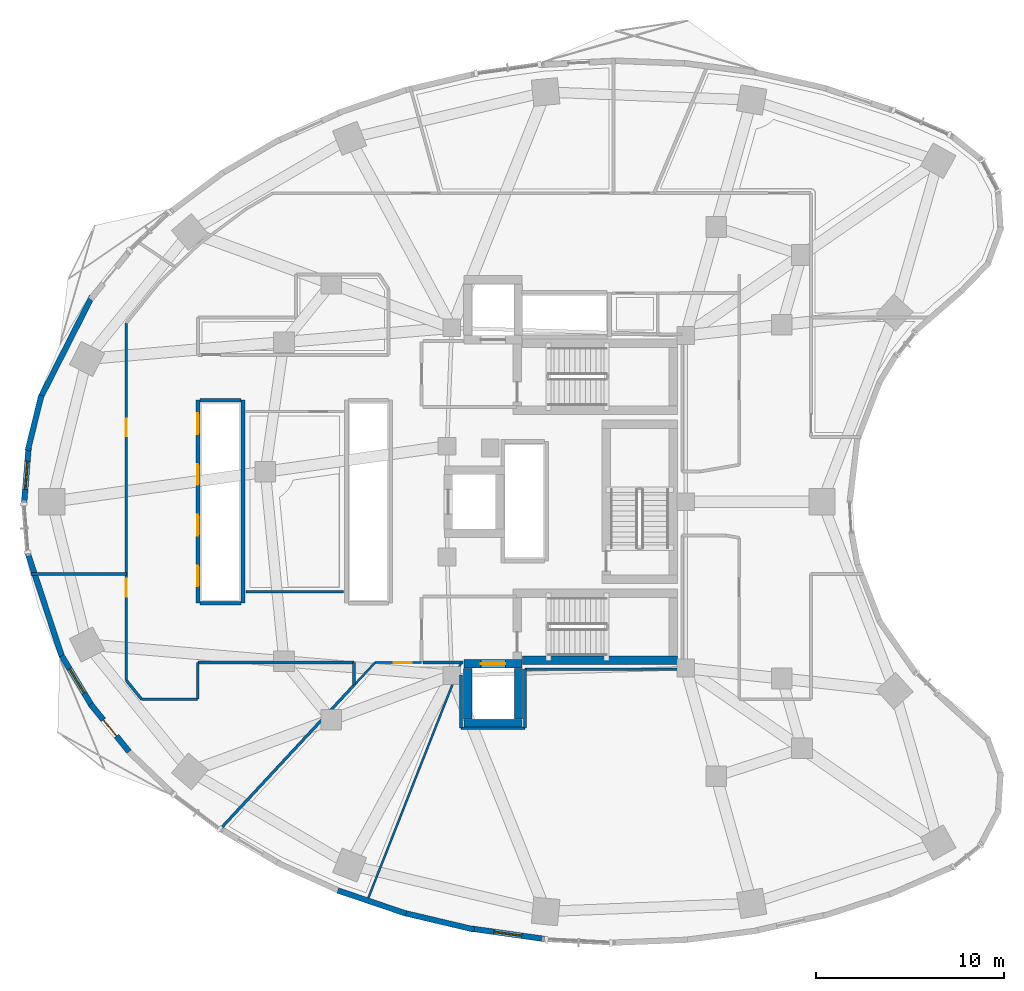
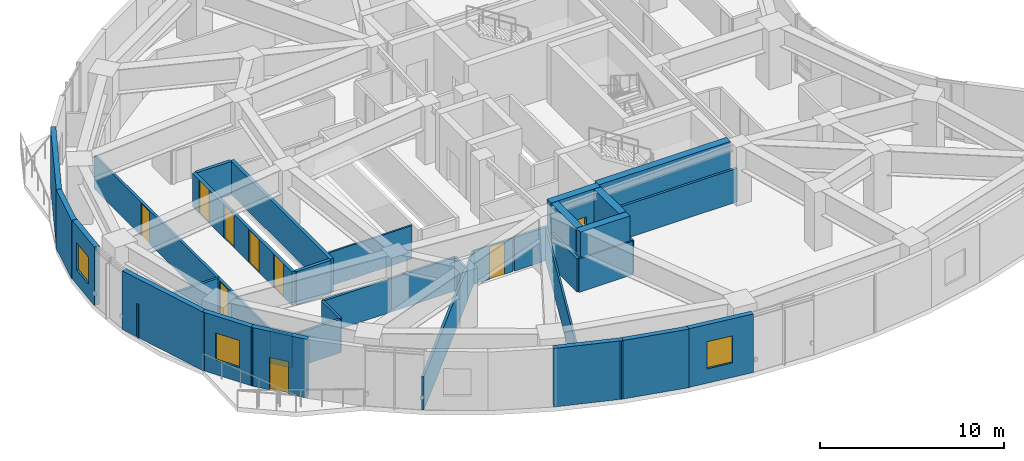
# One storey, part 7 of 13: 36 walls, 9 doors, 3 windows, 12 openings.
"""IFC4 building model written with IfcOpenShell, lengths in metres."""

from ifc_helpers import new_model, si_unit, direction, frame, frame_2d, origin, place, context, subcontext, project, spatial, rectangle, extrude, material, layer, layer_set, type_object, element, fill, save


model = new_model("IFC4")

# Units and contexts
model_context = context("Model", 3, precision=1e-05, world=origin(), true_north=direction((0.0, 1.0)))
body_context = subcontext(model_context, "Body", "Model", "MODEL_VIEW")
ifc_project = project(units=[si_unit("LENGTHUNIT", "METRE"), si_unit("AREAUNIT", "SQUARE_METRE"), si_unit("VOLUMEUNIT", "CUBIC_METRE"), si_unit("PLANEANGLEUNIT", "RADIAN"), si_unit("MASSUNIT", "GRAM", prefix="KILO")], contexts=[model_context])

# Site, building, storey
site_placement = place(None, origin())
site = spatial("IfcSite", under=ifc_project, at=site_placement, CompositionType="ELEMENT")
building_placement = place(site_placement, origin())
building = spatial("IfcBuilding", under=site, at=building_placement, Name="Korentha Bioscience Tower", CompositionType="ELEMENT")
storey_placement = place(building_placement, frame((0.0, 0.0, 80.39990234375)))
storey = spatial("IfcBuildingStorey", under=building, at=storey_placement, Name="L18", CompositionType="ELEMENT", Elevation=80.39990234375)

# Wall, opening, door
ifc_material_1 = material(Name="Double-Stud Acoustic Gypsum", Category="gypsum")
ifc_layer_1 = layer(ifc_material_1, 0.14990234375, Name="Double-Stud Acoustic Gypsum")
ifc_layer_set_1 = layer_set([ifc_layer_1], Name="Double-Stud Acoustic Gypsum (IW-L150)")
wall_type_1 = type_object("IfcWallType", Name="Acoustic Laboratory Partition Wall 150", PredefinedType="PARTITIONING", material=ifc_layer_set_1)
wall_1_placement = place(storey_placement, frame((7.7900390625, 23.14794921875, 0.0), z_axis=(0.0, 0.0, 1.0), x_axis=(0.0, -1.0, 0.0)))
wall_1 = element("IfcWall", 1, at=wall_1_placement, inside=storey, type_object=wall_type_1, Name="L18 Principal Investigator Office 01 Entrance Wall", PredefinedType="PARTITIONING", context=body_context, shape_type="SweptSolid", body=[
    extrude(rectangle(XDim=5.649169921875, YDim=0.14990234375, at=frame_2d((2.82470703125, 0.0))), origin(), (0.0, 0.0, 1.0), 2.22021484375),
])
opening_1_placement = place(wall_1_placement, frame((0.239990234375, 0.0, 0.0)))
opening_1 = element("IfcOpeningElement", 2, at=opening_1_placement, cuts=wall_1, Name="Opening ID-10R", PredefinedType="OPENING", context=body_context, shape_type="SweptSolid", body=[
    extrude(rectangle(XDim=0.949951171875, YDim=2.14990234375, at=frame_2d((0.47509765625, 1.074951171875))), frame((0.0, 0.08984375, 0.0), z_axis=(0.0, -1.0, 0.0), x_axis=(1.0, 0.0, 0.0)), (0.0, 0.0, 1.0), 0.1796875),
])
ifc_material_2 = material(Name="Phenolic Laminate Timber Core", Category="wood")
door_type_1 = type_object("IfcDoorType", Name="Laboratory Single Leaf Door 950x2150 Right", OperationType="SINGLE_SWING_RIGHT", PredefinedType="DOOR", material=ifc_material_2)
door_1_placement = place(opening_1_placement, origin())
door_1 = element("IfcDoor", 3, at=door_1_placement, inside=storey, type_object=door_type_1, Name="L18 Principal Investigator Office 01 Door", OperationType="SINGLE_SWING_RIGHT", OverallHeight=2.14990234375, OverallWidth=0.949951171875, PredefinedType="DOOR", context=body_context, shape_type="SweptSolid", body=[
    extrude(rectangle(XDim=0.949951171875, YDim=2.14990234375, at=frame_2d((0.47509765625, 1.074951171875))), frame((0.0, 0.02490234375, 0.0), z_axis=(0.0, -1.0, 0.0), x_axis=(1.0, 0.0, 0.0)), (0.0, 0.0, 1.0), 0.050048828125),
])
fill(opening_1, door_1)

wall_2_placement = place(storey_placement, frame((7.7900390625, 36.501220703125, 0.0), z_axis=(0.0, 0.0, 1.0), x_axis=(0.0, -1.0, 0.0)))
wall_2 = element("IfcWall", 4, at=wall_2_placement, inside=storey, type_object=wall_type_1, Name="L18 Principal Investigator Office 11 Entrance Wall", PredefinedType="PARTITIONING", context=body_context, shape_type="SweptSolid", body=[
    extrude(rectangle(XDim=13.34326171875, YDim=0.14990234375, at=frame_2d((6.671630859375, 0.0))), origin(), (0.0, 0.0, 1.0), 2.22021484375),
])
opening_2_placement = place(wall_2_placement, frame((5.0791015625, 0.0, 0.0)))
opening_2 = element("IfcOpeningElement", 5, at=opening_2_placement, cuts=wall_2, Name="Opening ID-10R", PredefinedType="OPENING", context=body_context, shape_type="SweptSolid", body=[
    extrude(rectangle(XDim=0.949951171875, YDim=2.14990234375, at=frame_2d((0.47509765625, 1.074951171875))), frame((0.0, 0.08984375, 0.0), z_axis=(0.0, -1.0, 0.0), x_axis=(1.0, 0.0, 0.0)), (0.0, 0.0, 1.0), 0.1796875),
])
door_2_placement = place(opening_2_placement, origin())
door_2 = element("IfcDoor", 6, at=door_2_placement, inside=storey, type_object=door_type_1, Name="L18 Principal Investigator Office 11 Door", OperationType="SINGLE_SWING_RIGHT", OverallHeight=2.14990234375, OverallWidth=0.949951171875, PredefinedType="DOOR", context=body_context, shape_type="SweptSolid", body=[
    extrude(rectangle(XDim=0.949951171875, YDim=2.14990234375, at=frame_2d((0.47509765625, 1.074951171875))), frame((0.0, 0.02490234375, 0.0), z_axis=(0.0, -1.0, 0.0), x_axis=(1.0, 0.0, 0.0)), (0.0, 0.0, 1.0), 0.050048828125),
])
fill(opening_2, door_2)

# Walls
wall_3_placement = place(storey_placement, frame((2.708984375, 23.14794921875, 0.0), z_axis=(0.0, 0.0, 1.0), x_axis=(1.0, 0.0, 0.0)))
element("IfcWall", 7, at=wall_3_placement, inside=storey, type_object=wall_type_1, Name="L18 Interior Partition 016", PredefinedType="PARTITIONING", context=body_context, shape_type="SweptSolid", body=[
    extrude(rectangle(XDim=5.0810546875, YDim=0.14990234375, at=frame_2d((2.54052734375, 0.0))), origin(), (0.0, 0.0, 1.0), 2.22021484375),
])
wall_4_placement = place(storey_placement, frame((7.792236328125, 17.492431640625, 0.0), z_axis=(0.0, 0.0, 1.0), x_axis=(0.629225554682, -0.777222748854, 0.0)))
element("IfcWall", 8, at=wall_4_placement, inside=storey, type_object=wall_type_1, Name="L18 Interior Partition 017", PredefinedType="PARTITIONING", context=body_context, shape_type="SweptSolid", body=[
    extrude(rectangle(XDim=1.28515625, YDim=0.14990234375, at=frame_2d((0.642578125, 0.0))), origin(), (0.0, 0.0, 1.0), 2.22021484375),
])
wall_5_placement = place(storey_placement, frame((8.608642578125, 16.489990234375, 0.0), z_axis=(0.0, 0.0, 1.0), x_axis=(1.0, 0.0, 0.0)))
element("IfcWall", 9, at=wall_5_placement, inside=storey, type_object=wall_type_1, Name="L18 Interior Partition 018", PredefinedType="PARTITIONING", context=body_context, shape_type="SweptSolid", body=[
    extrude(rectangle(XDim=2.971435546875, YDim=0.14990234375, at=frame_2d((1.48583984375, 0.0))), origin(), (0.0, 0.0, 1.0), 2.22021484375),
])
wall_6_placement = place(storey_placement, frame((11.590087890625, 16.5, 0.0), z_axis=(0.0, 0.0, 1.0), x_axis=(0.0, 1.0, 0.0)))
element("IfcWall", 10, at=wall_6_placement, inside=storey, type_object=wall_type_1, Name="L18 Interior Partition 019", PredefinedType="PARTITIONING", context=body_context, shape_type="SweptSolid", body=[
    extrude(rectangle(XDim=1.93994140625, YDim=0.14990234375, at=frame_2d((0.969970703125, 0.0))), origin(), (0.0, 0.0, 1.0), 2.22021484375),
])
wall_7_placement = place(storey_placement, frame((11.590087890625, 18.43994140625, 0.0), z_axis=(0.0, 0.0, 1.0), x_axis=(1.0, 0.0, 0.0)))
element("IfcWall", 11, at=wall_7_placement, inside=storey, type_object=wall_type_1, Name="L18 Interior Partition 020", PredefinedType="PARTITIONING", context=body_context, shape_type="SweptSolid", body=[
    extrude(rectangle(XDim=8.307861328125, YDim=0.14990234375, at=frame_2d((4.15380859375, 0.0))), origin(), (0.0, 0.0, 1.0), 2.22021484375),
])
wall_8_placement = place(storey_placement, frame((19.89794921875, 18.43994140625, 0.0), z_axis=(0.0, 0.0, 1.0), x_axis=(0.0, -1.0, 0.0)))
element("IfcWall", 12, at=wall_8_placement, inside=storey, type_object=wall_type_1, Name="L18 Interior Partition 021", PredefinedType="PARTITIONING", context=body_context, shape_type="SweptSolid", body=[
    extrude(rectangle(XDim=1.20068359375, YDim=0.14990234375, at=frame_2d((0.600341796875, 0.0))), origin(), (0.0, 0.0, 1.0), 2.22021484375),
])
wall_9_placement = place(storey_placement, frame((19.89794921875, 17.239013671875, 0.0), z_axis=(0.0, 0.0, 1.0), x_axis=(-0.680819073157, -0.732451629547, 0.0)))
element("IfcWall", 13, at=wall_9_placement, inside=storey, type_object=wall_type_1, Name="L18 Interior Partition 022", PredefinedType="PARTITIONING", context=body_context, shape_type="SweptSolid", body=[
    extrude(rectangle(XDim=10.55859375, YDim=0.14990234375, at=frame_2d((5.279296875, 0.0))), origin(), (0.0, 0.0, 1.0), 2.22021484375),
])
wall_10_placement = place(storey_placement, frame((25.60400390625, 14.949951171875, 0.0), z_axis=(0.0, 0.0, 1.0), x_axis=(1.0, 0.0, 0.0)))
element("IfcWall", 14, at=wall_10_placement, inside=storey, type_object=wall_type_1, Name="L18 Interior Partition 025", PredefinedType="PARTITIONING", context=body_context, shape_type="SweptSolid", body=[
    extrude(rectangle(XDim=3.391845703125, YDim=0.14990234375, at=frame_2d((1.69580078125, 0.0))), origin(), (0.0, 0.0, 1.0), 2.22021484375),
])
wall_11_placement = place(storey_placement, frame((29.0, 14.9541015625, 0.0), z_axis=(0.0, 0.0, 1.0), x_axis=(0.0, 1.0, 0.0)))
element("IfcWall", 15, at=wall_11_placement, inside=storey, type_object=wall_type_1, Name="L18 Interior Partition 026", PredefinedType="PARTITIONING", context=body_context, shape_type="SweptSolid", body=[
    extrude(rectangle(XDim=3.135986328125, YDim=0.14990234375, at=frame_2d((1.56787109375, 0.0))), origin(), (0.0, 0.0, 1.0), 2.22021484375),
])
wall_12_placement = place(storey_placement, frame((29.0, 18.090087890625, 0.0), z_axis=(0.0, 0.0, 1.0), x_axis=(1.0, 0.0, 0.0)))
element("IfcWall", 16, at=wall_12_placement, inside=storey, type_object=wall_type_1, Name="L18 Interior Partition 027", PredefinedType="PARTITIONING", context=body_context, shape_type="SweptSolid", body=[
    extrude(rectangle(XDim=8.35009765625, YDim=0.14990234375, at=frame_2d((4.175048828125, 0.0))), origin(), (0.0, 0.0, 1.0), 2.22021484375),
])
wall_13_placement = place(storey_placement, frame((25.60009765625, 17.79345703125, 0.0), z_axis=(0.0, 0.0, 1.0), x_axis=(0.0, -1.0, 0.0)))
element("IfcWall", 17, at=wall_13_placement, inside=storey, type_object=wall_type_1, Name="L18 Interior Partition 034", PredefinedType="PARTITIONING", context=body_context, shape_type="SweptSolid", body=[
    extrude(rectangle(XDim=2.83935546875, YDim=0.14990234375, at=frame_2d((1.419677734375, 0.0))), origin(), (0.0, 0.0, 1.0), 2.22021484375),
])

# Wall, opening, door
ifc_material_3 = material(Name="Fire-Rated Framed Glass", Category="glass")
ifc_layer_2 = layer(ifc_material_3, 0.110107421875, Name="Fire-Rated Framed Glass")
ifc_layer_set_2 = layer_set([ifc_layer_2], Name="Fire-Rated Framed Glass (IW-G110)")
wall_type_2 = type_object("IfcWallType", Name="Demountable Glazed Office Partition 110", PredefinedType="MOVABLE", material=ifc_layer_set_2)
wall_14_placement = place(storey_placement, frame((21.019775390625, 18.43994140625, 0.0), z_axis=(0.0, 0.0, 1.0), x_axis=(1.0, 0.0, 0.0)))
wall_14 = element("IfcWall", 18, at=wall_14_placement, inside=storey, type_object=wall_type_2, Name="L18 Research Colloquium Seminar Room 02 Entrance Wall", PredefinedType="MOVABLE", context=body_context, shape_type="SweptSolid", body=[
    extrude(rectangle(XDim=2.47021484375, YDim=0.110107421875, at=frame_2d((1.235107421875, 0.0))), origin(), (0.0, 0.0, 1.0), 2.22021484375),
])
opening_3_placement = place(wall_14_placement, frame((1.000244140625, 0.0, 0.0)))
opening_3 = element("IfcOpeningElement", 19, at=opening_3_placement, cuts=wall_14, Name="Opening ID-10L", PredefinedType="OPENING", context=body_context, shape_type="SweptSolid", body=[
    extrude(rectangle(XDim=0.949951171875, YDim=2.14990234375, at=frame_2d((0.47509765625, 1.074951171875))), frame((0.0, 0.06982421875, 0.0), z_axis=(0.0, -1.0, 0.0), x_axis=(1.0, 0.0, 0.0)), (0.0, 0.0, 1.0), 0.139892578125),
])
door_type_2 = type_object("IfcDoorType", Name="Laboratory Single Leaf Door 950x2150 Left", OperationType="SINGLE_SWING_LEFT", PredefinedType="DOOR", material=ifc_material_2)
door_3_placement = place(opening_3_placement, origin())
door_3 = element("IfcDoor", 20, at=door_3_placement, inside=storey, type_object=door_type_2, Name="L18 Research Colloquium Seminar Room 02 Door", OperationType="SINGLE_SWING_LEFT", OverallHeight=2.14990234375, OverallWidth=0.949951171875, PredefinedType="DOOR", context=body_context, shape_type="SweptSolid", body=[
    extrude(rectangle(XDim=0.949951171875, YDim=2.14990234375, at=frame_2d((0.47509765625, 1.074951171875))), frame((0.0, 0.02490234375, 0.0), z_axis=(0.0, -1.0, 0.0), x_axis=(1.0, 0.0, 0.0)), (0.0, 0.0, 1.0), 0.050048828125),
])
fill(opening_3, door_3)

# Walls
wall_15_placement = place(storey_placement, frame((25.596923828125, 18.43994140625, 0.0), z_axis=(0.0, 0.0, 1.0), x_axis=(-0.366756051999, -0.930317149322, 0.0)))
element("IfcWall", 21, at=wall_15_placement, inside=storey, type_object=wall_type_2, Name="L18 Interior Partition 023", PredefinedType="MOVABLE", context=body_context, shape_type="SweptSolid", body=[
    extrude(rectangle(XDim=13.718994140625, YDim=0.110107421875, at=frame_2d((6.859375, 0.0))), origin(), (0.0, 0.0, 1.0), 2.22021484375),
])
wall_16_placement = place(storey_placement, frame((19.907958984375, 17.243896484375, 0.0), z_axis=(0.0, 0.0, 1.0), x_axis=(0.680846676947, 0.732425970655, 0.0)))
element("IfcWall", 22, at=wall_16_placement, inside=storey, type_object=wall_type_2, Name="L18 Interior Partition 024", PredefinedType="MOVABLE", context=body_context, shape_type="SweptSolid", body=[
    extrude(rectangle(XDim=1.633056640625, YDim=0.110107421875, at=frame_2d((0.81640625, 0.0))), origin(), (0.0, 0.0, 1.0), 2.22021484375),
])
wall_17_placement = place(storey_placement, frame((19.340087890625, 22.2099609375, 0.0), z_axis=(0.0, 0.0, 1.0), x_axis=(-1.0, 0.0, 0.0)))
element("IfcWall", 23, at=wall_17_placement, inside=storey, type_object=wall_type_2, Name="L18 Interior Partition 060", PredefinedType="MOVABLE", context=body_context, shape_type="SweptSolid", body=[
    extrude(rectangle(XDim=5.18017578125, YDim=0.110107421875, at=frame_2d((2.590087890625, 0.0))), origin(), (0.0, 0.0, 1.0), 2.22021484375),
])
ifc_material_4 = material(Name="Gypsum-Clad Steel Stud", Category="steel")
ifc_layer_3 = layer(ifc_material_4, 0.159912109375, Name="Gypsum-Clad Steel Stud")
ifc_layer_set_3 = layer_set([ifc_layer_3], Name="Gypsum-Clad Steel Stud (IW-C160)")
wall_type_3 = type_object("IfcWallType", Name="Fire-Rated Corridor Partition Wall 160", PredefinedType="PARTITIONING", material=ifc_layer_set_3)
wall_18_placement = place(storey_placement, frame((23.580078125, 18.449951171875, 0.0), z_axis=(0.0, 0.0, 1.0), x_axis=(1.0, 0.0, 0.0)))
element("IfcWall", 24, at=wall_18_placement, inside=storey, type_object=wall_type_3, Name="L18 Firefighting Lobby Return Wall FFLS-S", PredefinedType="PARTITIONING", context=body_context, shape_type="SweptSolid", body=[
    extrude(rectangle(XDim=2.119873046875, YDim=0.159912109375, at=frame_2d((1.06005859375, 0.0))), origin(), (0.0, 0.0, 1.0), 2.22021484375),
])

# Wall, opening, window
ifc_material_5 = material(Name="Honed Limestone Precast Concrete C40", Category="masonry")
ifc_layer_4 = layer(ifc_material_5, 0.300048828125, Name="Honed Limestone Precast Concrete C40")
ifc_layer_set_4 = layer_set([ifc_layer_4], Name="Honed Limestone Precast Concrete C40 (EW-ST300)")
wall_type_4 = type_object("IfcWallType", Name="Honed Limestone Cavity Spandrel Wall 300", PredefinedType="STANDARD", material=ifc_layer_set_4)
wall_19_placement = place(storey_placement, frame((2.593994140625, 29.877685546875, 0.0), z_axis=(0.0, 0.0, 1.0), x_axis=(-0.08090887827, -0.996721502435, 0.0)))
wall_19 = element("IfcWall", 25, at=wall_19_placement, inside=storey, type_object=wall_type_4, Name="L18 Honed Limestone Spandrel Wall 18", PredefinedType="STANDARD", context=body_context, shape_type="SweptSolid", body=[
    extrude(rectangle(XDim=2.960205078125, YDim=0.300048828125, at=frame_2d((1.47998046875, 0.0))), origin(), (0.0, 0.0, 1.0), 3.880126953125),
])
opening_4_placement = place(wall_19_placement, frame((0.72998046875, 0.0, 0.949951171875)))
opening_4 = element("IfcOpeningElement", 26, at=opening_4_placement, cuts=wall_19, Name="Opening WN-02", PredefinedType="OPENING", context=body_context, shape_type="SweptSolid", body=[
    extrude(rectangle(XDim=1.5, YDim=1.800048828125, at=frame_2d((0.75, 0.89990234375))), frame((0.0, 0.1650390625, 0.0), z_axis=(0.0, -1.0, 0.0), x_axis=(1.0, 0.0, 0.0)), (0.0, 0.0, 1.0), 0.329833984375),
])
ifc_material_6 = material(Name="Thermally Broken Aluminium Triple Glazing", Category="aluminium")
window_type = type_object("IfcWindowType", Name="Acoustic Operable Office Window 1500x1800", PartitioningType="DOUBLE_PANEL_VERTICAL", PredefinedType="WINDOW", material=ifc_material_6)
window_1_placement = place(opening_4_placement, origin())
window_1 = element("IfcWindow", 27, at=window_1_placement, inside=storey, type_object=window_type, Name="L18 Facade Window 18", OverallHeight=1.800048828125, OverallWidth=1.5, PartitioningType="DOUBLE_PANEL_VERTICAL", PredefinedType="WINDOW", context=body_context, shape_type="SweptSolid", body=[
    extrude(rectangle(XDim=1.5, YDim=1.800048828125, at=frame_2d((0.75, 0.89990234375))), frame((0.0, 0.030029296875, 0.0), z_axis=(0.0, -1.0, 0.0), x_axis=(1.0, 0.0, 0.0)), (0.0, 0.0, 1.0), 0.06005859375),
])
fill(opening_4, window_1)

wall_20_placement = place(storey_placement, frame((4.352294921875, 18.8046875, 0.0), z_axis=(0.0, 0.0, 1.0), x_axis=(0.516447962267, -0.856318575222, 0.0)))
wall_20 = element("IfcWall", 28, at=wall_20_placement, inside=storey, type_object=wall_type_4, Name="L18 Honed Limestone Spandrel Wall 22", PredefinedType="STANDARD", context=body_context, shape_type="SweptSolid", body=[
    extrude(rectangle(XDim=3.142822265625, YDim=0.300048828125, at=frame_2d((1.5712890625, 0.0))), origin(), (0.0, 0.0, 1.0), 3.880126953125),
])
opening_5_placement = place(wall_20_placement, frame((0.8212890625, 0.0, 0.949951171875)))
opening_5 = element("IfcOpeningElement", 29, at=opening_5_placement, cuts=wall_20, Name="Opening WN-02", PredefinedType="OPENING", context=body_context, shape_type="SweptSolid", body=[
    extrude(rectangle(XDim=1.5, YDim=1.800048828125, at=frame_2d((0.75, 0.89990234375))), frame((0.0, 0.1650390625, 0.0), z_axis=(0.0, -1.0, 0.0), x_axis=(1.0, 0.0, 0.0)), (0.0, 0.0, 1.0), 0.329833984375),
])
window_2_placement = place(opening_5_placement, origin())
window_2 = element("IfcWindow", 30, at=window_2_placement, inside=storey, type_object=window_type, Name="L18 Facade Window 22", OverallHeight=1.800048828125, OverallWidth=1.5, PartitioningType="DOUBLE_PANEL_VERTICAL", PredefinedType="WINDOW", context=body_context, shape_type="SweptSolid", body=[
    extrude(rectangle(XDim=1.5, YDim=1.800048828125, at=frame_2d((0.75, 0.89990234375))), frame((0.0, 0.030029296875, 0.0), z_axis=(0.0, -1.0, 0.0), x_axis=(1.0, 0.0, 0.0)), (0.0, 0.0, 1.0), 0.06005859375),
])
fill(opening_5, window_2)

# Wall, opening, door
wall_21_placement = place(storey_placement, frame((5.893798828125, 16.229736328125, 0.0), z_axis=(0.0, 0.0, 1.0), x_axis=(0.629295540187, -0.777166084631, 0.0)))
wall_21 = element("IfcWall", 31, at=wall_21_placement, inside=storey, type_object=wall_type_4, Name="L18 Balcony Threshold Wall 03", PredefinedType="STANDARD", context=body_context, shape_type="SweptSolid", body=[
    extrude(rectangle(XDim=3.24755859375, YDim=0.300048828125, at=frame_2d((1.623779296875, 0.0))), origin(), (0.0, 0.0, 1.0), 3.880126953125),
])
opening_6_placement = place(wall_21_placement, frame((1.07373046875, 0.0, 0.0)))
opening_6 = element("IfcOpeningElement", 32, at=opening_6_placement, cuts=wall_21, Name="Opening BD-11L", PredefinedType="OPENING", context=body_context, shape_type="SweptSolid", body=[
    extrude(rectangle(XDim=1.10009765625, YDim=2.14990234375, at=frame_2d((0.550048828125, 1.074951171875))), frame((0.0, 0.1650390625, 0.0), z_axis=(0.0, -1.0, 0.0), x_axis=(1.0, 0.0, 0.0)), (0.0, 0.0, 1.0), 0.329833984375),
])
ifc_material_7 = material(Name="Thermally Broken Glazed Aluminium", Category="aluminium")
door_type_3 = type_object("IfcDoorType", Name="Balcony Terrace Glazed Door 1100x2150 Left", OperationType="SINGLE_SWING_LEFT", PredefinedType="DOOR", material=ifc_material_7)
door_4_placement = place(opening_6_placement, origin())
door_4 = element("IfcDoor", 33, at=door_4_placement, inside=storey, type_object=door_type_3, Name="L18 Balcony Access Door 03", OperationType="SINGLE_SWING_LEFT", OverallHeight=2.14990234375, OverallWidth=1.10009765625, PredefinedType="DOOR", context=body_context, shape_type="SweptSolid", body=[
    extrude(rectangle(XDim=1.10009765625, YDim=2.14990234375, at=frame_2d((0.550048828125, 1.074951171875))), frame((0.0, 0.02490234375, 0.0), z_axis=(0.0, -1.0, 0.0), x_axis=(1.0, 0.0, 0.0)), (0.0, 0.0, 1.0), 0.050048828125),
])
fill(opening_6, door_4)

# Wall, opening, window
wall_22_placement = place(storey_placement, frame((26.150390625, 4.2900390625, 0.0), z_axis=(0.0, 0.0, 1.0), x_axis=(0.990165573956, -0.139900450869, 0.0)))
wall_22 = element("IfcWall", 34, at=wall_22_placement, inside=storey, type_object=wall_type_4, Name="L18 Honed Limestone Spandrel Wall 30", PredefinedType="STANDARD", context=body_context, shape_type="SweptSolid", body=[
    extrude(rectangle(XDim=3.910888671875, YDim=0.300048828125, at=frame_2d((1.95556640625, 0.0))), origin(), (0.0, 0.0, 1.0), 3.880126953125),
])
opening_7_placement = place(wall_22_placement, frame((1.20556640625, 0.0, 0.949951171875)))
opening_7 = element("IfcOpeningElement", 35, at=opening_7_placement, cuts=wall_22, Name="Opening WN-02", PredefinedType="OPENING", context=body_context, shape_type="SweptSolid", body=[
    extrude(rectangle(XDim=1.5, YDim=1.800048828125, at=frame_2d((0.75, 0.89990234375))), frame((0.0, 0.1650390625, 0.0), z_axis=(0.0, -1.0, 0.0), x_axis=(1.0, 0.0, 0.0)), (0.0, 0.0, 1.0), 0.329833984375),
])
window_3_placement = place(opening_7_placement, origin())
window_3 = element("IfcWindow", 36, at=window_3_placement, inside=storey, type_object=window_type, Name="L18 Facade Window 30", OverallHeight=1.800048828125, OverallWidth=1.5, PartitioningType="DOUBLE_PANEL_VERTICAL", PredefinedType="WINDOW", context=body_context, shape_type="SweptSolid", body=[
    extrude(rectangle(XDim=1.5, YDim=1.800048828125, at=frame_2d((0.75, 0.89990234375))), frame((0.0, 0.030029296875, 0.0), z_axis=(0.0, -1.0, 0.0), x_axis=(1.0, 0.0, 0.0)), (0.0, 0.0, 1.0), 0.06005859375),
])
fill(opening_7, window_3)

# Walls
wall_23_placement = place(storey_placement, frame((5.968505859375, 37.925537109375, 0.0), z_axis=(0.0, 0.0, 1.0), x_axis=(-0.453093111502, -0.891463197395, 0.0)))
element("IfcWall", 37, at=wall_23_placement, inside=storey, type_object=wall_type_4, Name="L18 Limestone Perimeter Closure Wall 15", PredefinedType="STANDARD", context=body_context, shape_type="SweptSolid", body=[
    extrude(rectangle(XDim=6.102294921875, YDim=0.300048828125, at=frame_2d((3.05126953125, 0.0))), origin(), (0.0, 0.0, 1.0), 3.880126953125),
])
wall_24_placement = place(storey_placement, frame((3.27001953125, 32.664794921875, 0.0), z_axis=(0.0, 0.0, 1.0), x_axis=(-0.23859399274, -0.971119409047, 0.0)))
element("IfcWall", 38, at=wall_24_placement, inside=storey, type_object=wall_type_4, Name="L18 Limestone Perimeter Closure Wall 17", PredefinedType="STANDARD", context=body_context, shape_type="SweptSolid", body=[
    extrude(rectangle(XDim=3.032958984375, YDim=0.300048828125, at=frame_2d((1.5166015625, 0.0))), origin(), (0.0, 0.0, 1.0), 3.880126953125),
])
wall_25_placement = place(storey_placement, frame((2.537353515625, 24.289306640625, 0.0), z_axis=(0.0, 0.0, 1.0), x_axis=(0.31372816724, -0.949512841978, 0.0)))
element("IfcWall", 39, at=wall_25_placement, inside=storey, type_object=wall_type_4, Name="L18 Limestone Perimeter Closure Wall 20", PredefinedType="STANDARD", context=body_context, shape_type="SweptSolid", body=[
    extrude(rectangle(XDim=5.950927734375, YDim=0.300048828125, at=frame_2d((2.9755859375, 0.0))), origin(), (0.0, 0.0, 1.0), 3.880126953125),
])
wall_26_placement = place(storey_placement, frame((19.0400390625, 6.32080078125, 0.0), z_axis=(0.0, 0.0, 1.0), x_axis=(0.94702579403, -0.321157508773, 0.0)))
element("IfcWall", 40, at=wall_26_placement, inside=storey, type_object=wall_type_4, Name="L18 Limestone Perimeter Closure Wall 28", PredefinedType="STANDARD", context=body_context, shape_type="SweptSolid", body=[
    extrude(rectangle(XDim=3.829833984375, YDim=0.300048828125, at=frame_2d((1.9150390625, 0.0))), origin(), (0.0, 0.0, 1.0), 3.880126953125),
])
wall_27_placement = place(storey_placement, frame((22.50048828125, 5.138427734375, 0.0), z_axis=(0.0, 0.0, 1.0), x_axis=(0.973197600754, -0.229970497863, 0.0)))
element("IfcWall", 41, at=wall_27_placement, inside=storey, type_object=wall_type_4, Name="L18 Limestone Perimeter Closure Wall 29", PredefinedType="STANDARD", context=body_context, shape_type="SweptSolid", body=[
    extrude(rectangle(XDim=3.9013671875, YDim=0.300048828125, at=frame_2d((1.95068359375, 0.0))), origin(), (0.0, 0.0, 1.0), 3.880126953125),
])

# Wall, openings, doors
ifc_material_8 = material(Name="Autoclaved Aerated Concrete Block C25", Category="concrete")
ifc_layer_5 = layer(ifc_material_8, 0.199951171875, Name="Autoclaved Aerated Concrete Block C25")
ifc_layer_set_5 = layer_set([ifc_layer_5], Name="Autoclaved Aerated Concrete Block C25 (IW-S200)")
wall_type_5 = type_object("IfcWallType", Name="Lift and Riser Shaft Enclosure Wall 200", PredefinedType="PARTITIONING", material=ifc_layer_set_5)
wall_28_placement = place(storey_placement, frame((11.60009765625, 21.60009765625, 0.0), z_axis=(0.0, 0.0, 1.0), x_axis=(0.0, 1.0, 0.0)))
wall_28 = element("IfcWall", 42, at=wall_28_placement, inside=storey, type_object=wall_type_5, Name="L18 Lift Bank LOW Shaft Wall -X", PredefinedType="PARTITIONING", context=body_context, shape_type="SweptSolid", body=[
    extrude(rectangle(XDim=10.7998046875, YDim=0.199951171875, at=frame_2d((5.39990234375, 0.0))), origin(), (0.0, 0.0, 1.0), 2.22021484375),
])
opening_8_placement = place(wall_28_placement, frame((0.89990234375, 0.0, 0.0)))
opening_8 = element("IfcOpeningElement", 43, at=opening_8_placement, cuts=wall_28, Name="Opening LD-11", PredefinedType="OPENING", context=body_context, shape_type="SweptSolid", body=[
    extrude(rectangle(XDim=1.10009765625, YDim=2.199951171875, at=frame_2d((0.550048828125, 1.10009765625))), frame((0.0, 0.11474609375, 0.0), z_axis=(0.0, -1.0, 0.0), x_axis=(1.0, 0.0, 0.0)), (0.0, 0.0, 1.0), 0.229736328125),
])
opening_9_placement = place(wall_28_placement, frame((3.60009765625, 0.0, 0.0)))
opening_9 = element("IfcOpeningElement", 44, at=opening_9_placement, cuts=wall_28, Name="Opening LD-11", PredefinedType="OPENING", context=body_context, shape_type="SweptSolid", body=[
    extrude(rectangle(XDim=1.10009765625, YDim=2.199951171875, at=frame_2d((0.550048828125, 1.10009765625))), frame((0.0, 0.11474609375, 0.0), z_axis=(0.0, -1.0, 0.0), x_axis=(1.0, 0.0, 0.0)), (0.0, 0.0, 1.0), 0.229736328125),
])
opening_10_placement = place(wall_28_placement, frame((6.300048828125, 0.0, 0.0)))
opening_10 = element("IfcOpeningElement", 45, at=opening_10_placement, cuts=wall_28, Name="Opening LD-11", PredefinedType="OPENING", context=body_context, shape_type="SweptSolid", body=[
    extrude(rectangle(XDim=1.10009765625, YDim=2.199951171875, at=frame_2d((0.550048828125, 1.10009765625))), frame((0.0, 0.11474609375, 0.0), z_axis=(0.0, -1.0, 0.0), x_axis=(1.0, 0.0, 0.0)), (0.0, 0.0, 1.0), 0.229736328125),
])
opening_11_placement = place(wall_28_placement, frame((9.0, 0.0, 0.0)))
opening_11 = element("IfcOpeningElement", 46, at=opening_11_placement, cuts=wall_28, Name="Opening LD-11", PredefinedType="OPENING", context=body_context, shape_type="SweptSolid", body=[
    extrude(rectangle(XDim=1.10009765625, YDim=2.199951171875, at=frame_2d((0.550048828125, 1.10009765625))), frame((0.0, 0.11474609375, 0.0), z_axis=(0.0, -1.0, 0.0), x_axis=(1.0, 0.0, 0.0)), (0.0, 0.0, 1.0), 0.229736328125),
])
ifc_material_9 = material(Name="Brushed Stainless Steel 304", Category="steel")
door_type_4 = type_object("IfcDoorType", Name="Passenger Lift Sliding Landing Door 1100x2200", OperationType="DOUBLE_DOOR_SLIDING", PredefinedType="DOOR", material=ifc_material_9)
door_5_placement = place(opening_8_placement, origin())
door_5 = element("IfcDoor", 47, at=door_5_placement, inside=storey, type_object=door_type_4, Name="L18 PL-L1 Sliding Lift Landing Door", OperationType="DOUBLE_DOOR_SLIDING", OverallHeight=2.199951171875, OverallWidth=1.10009765625, PredefinedType="DOOR", context=body_context, shape_type="SweptSolid", body=[
    extrude(rectangle(XDim=1.10009765625, YDim=2.199951171875, at=frame_2d((0.550048828125, 1.10009765625))), frame((0.0, 0.02490234375, 0.0), z_axis=(0.0, -1.0, 0.0), x_axis=(1.0, 0.0, 0.0)), (0.0, 0.0, 1.0), 0.050048828125),
])
fill(opening_8, door_5)
door_6_placement = place(opening_9_placement, origin())
door_6 = element("IfcDoor", 48, at=door_6_placement, inside=storey, type_object=door_type_4, Name="L18 PL-L2 Sliding Lift Landing Door", OperationType="DOUBLE_DOOR_SLIDING", OverallHeight=2.199951171875, OverallWidth=1.10009765625, PredefinedType="DOOR", context=body_context, shape_type="SweptSolid", body=[
    extrude(rectangle(XDim=1.10009765625, YDim=2.199951171875, at=frame_2d((0.550048828125, 1.10009765625))), frame((0.0, 0.02490234375, 0.0), z_axis=(0.0, -1.0, 0.0), x_axis=(1.0, 0.0, 0.0)), (0.0, 0.0, 1.0), 0.050048828125),
])
fill(opening_9, door_6)
door_7_placement = place(opening_10_placement, origin())
door_7 = element("IfcDoor", 49, at=door_7_placement, inside=storey, type_object=door_type_4, Name="L18 PL-L3 Sliding Lift Landing Door", OperationType="DOUBLE_DOOR_SLIDING", OverallHeight=2.199951171875, OverallWidth=1.10009765625, PredefinedType="DOOR", context=body_context, shape_type="SweptSolid", body=[
    extrude(rectangle(XDim=1.10009765625, YDim=2.199951171875, at=frame_2d((0.550048828125, 1.10009765625))), frame((0.0, 0.02490234375, 0.0), z_axis=(0.0, -1.0, 0.0), x_axis=(1.0, 0.0, 0.0)), (0.0, 0.0, 1.0), 0.050048828125),
])
fill(opening_10, door_7)
door_8_placement = place(opening_11_placement, origin())
door_8 = element("IfcDoor", 50, at=door_8_placement, inside=storey, type_object=door_type_4, Name="L18 PL-L4 Sliding Lift Landing Door", OperationType="DOUBLE_DOOR_SLIDING", OverallHeight=2.199951171875, OverallWidth=1.10009765625, PredefinedType="DOOR", context=body_context, shape_type="SweptSolid", body=[
    extrude(rectangle(XDim=1.10009765625, YDim=2.199951171875, at=frame_2d((0.550048828125, 1.10009765625))), frame((0.0, 0.02490234375, 0.0), z_axis=(0.0, -1.0, 0.0), x_axis=(1.0, 0.0, 0.0)), (0.0, 0.0, 1.0), 0.050048828125),
])
fill(opening_11, door_8)

# Walls
wall_29_placement = place(storey_placement, frame((14.0, 21.60009765625, 0.0), z_axis=(0.0, 0.0, 1.0), x_axis=(0.0, 1.0, 0.0)))
element("IfcWall", 51, at=wall_29_placement, inside=storey, type_object=wall_type_5, Name="L18 Lift Bank LOW Shaft Wall +X", PredefinedType="PARTITIONING", context=body_context, shape_type="SweptSolid", body=[
    extrude(rectangle(XDim=10.7998046875, YDim=0.199951171875, at=frame_2d((5.39990234375, 0.0))), origin(), (0.0, 0.0, 1.0), 2.22021484375),
])
for number, where, z_axis, x_axis, name in (
    (52, (11.719970703125, 21.60009765625, 0.0), (0.0, 0.0, 1.0), (1.0, 0.0, 0.0), "L18 Lift Bank LOW Shaft Wall -Y"),
    (53, (11.719970703125, 32.39990234375, 0.0), (0.0, 0.0, 1.0), (1.0, 0.0, 0.0), "L18 Lift Bank LOW Shaft Wall +Y"),
):
    element("IfcWall", number, at=place(storey_placement, frame(where, z_axis=z_axis, x_axis=x_axis)), inside=storey, type_object=wall_type_5, Name=name, PredefinedType="PARTITIONING", context=body_context, shape_type="SweptSolid", body=[
        extrude(rectangle(XDim=2.159912109375, YDim=0.199951171875, at=frame_2d((1.080078125, 0.0))), origin(), (0.0, 0.0, 1.0), 2.22021484375),
    ])
ifc_material_10 = material(Name="Concrete C80", Category="concrete")
ifc_layer_6 = layer(ifc_material_10, 0.449951171875, Name="Concrete C80")
ifc_layer_set_6 = layer_set([ifc_layer_6], Name="Concrete C80 (CW-C80)")
wall_type_6 = type_object("IfcWallType", Name="Lower Core Shear Wall 450", PredefinedType="SHEAR", material=ifc_layer_set_6)
wall_30_placement = place(storey_placement, frame((28.85205078125, 18.574951171875, 0.0), z_axis=(0.0, 0.0, 1.0), x_axis=(1.0, 0.0, 0.0)))
element("IfcWall", 54, at=wall_30_placement, inside=storey, type_object=wall_type_6, Name="L18 Core Shear Wall ST2-S", PredefinedType="SHEAR", context=body_context, shape_type="SweptSolid", body=[
    extrude(rectangle(XDim=8.248046875, YDim=0.449951171875, at=frame_2d((4.1240234375, 0.0))), origin(), (0.0, 0.0, 1.0), 3.880126953125),
])
wall_31_placement = place(storey_placement, frame((25.75, 15.199951171875, 0.0), z_axis=(0.0, 0.0, 1.0), x_axis=(1.0, 0.0, 0.0)))
element("IfcWall", 55, at=wall_31_placement, inside=storey, type_object=wall_type_6, Name="L18 Core Shear Wall FFL1-S", PredefinedType="SHEAR", context=body_context, shape_type="SweptSolid", body=[
    extrude(rectangle(XDim=3.10009765625, YDim=0.449951171875, at=frame_2d((1.550048828125, 0.0))), origin(), (0.0, 0.0, 1.0), 3.880126953125),
])

# Wall, opening, door
wall_32_placement = place(storey_placement, frame((25.75, 18.3798828125, 0.0), z_axis=(0.0, 0.0, 1.0), x_axis=(1.0, 0.0, 0.0)))
wall_32 = element("IfcWall", 56, at=wall_32_placement, inside=storey, type_object=wall_type_6, Name="L18 Core Shear Wall FFL1-N", PredefinedType="SHEAR", context=body_context, shape_type="SweptSolid", body=[
    extrude(rectangle(XDim=3.10009765625, YDim=0.449951171875, at=frame_2d((1.550048828125, 0.0))), origin(), (0.0, 0.0, 1.0), 3.880126953125),
])
opening_12_placement = place(wall_32_placement, frame((0.89990234375, 0.0, 0.0)))
opening_12 = element("IfcOpeningElement", 57, at=opening_12_placement, cuts=wall_32, Name="Opening LD-13", PredefinedType="OPENING", context=body_context, shape_type="SweptSolid", body=[
    extrude(rectangle(XDim=1.300048828125, YDim=2.199951171875, at=frame_2d((0.64990234375, 1.10009765625))), frame((0.0, 0.23974609375, 0.0), z_axis=(0.0, -1.0, 0.0), x_axis=(1.0, 0.0, 0.0)), (0.0, 0.0, 1.0), 0.479736328125),
])
ifc_material_11 = material(Name="Brushed Stainless Steel 316", Category="steel")
door_type_5 = type_object("IfcDoorType", Name="Service & Firefighting Lift Landing Door 1300x2300", OperationType="DOUBLE_DOOR_SLIDING", PredefinedType="DOOR", material=ifc_material_11)
door_9_placement = place(opening_12_placement, origin())
door_9 = element("IfcDoor", 58, at=door_9_placement, inside=storey, type_object=door_type_5, Name="L18 FFL-1 Sliding Lift Landing Door", OperationType="DOUBLE_DOOR_SLIDING", OverallHeight=2.199951171875, OverallWidth=1.300048828125, PredefinedType="DOOR", context=body_context, shape_type="SweptSolid", body=[
    extrude(rectangle(XDim=1.300048828125, YDim=2.199951171875, at=frame_2d((0.64990234375, 1.10009765625))), frame((0.0, 0.02490234375, 0.0), z_axis=(0.0, -1.0, 0.0), x_axis=(1.0, 0.0, 0.0)), (0.0, 0.0, 1.0), 0.050048828125),
])
fill(opening_12, door_9)

# Walls
for number, where, z_axis, x_axis, name in (
    (59, (25.949951171875, 15.43994140625, 0.0), (0.0, 0.0, 1.0), (0.0, 1.0, 0.0), "L18 Core Shear Wall FFL1-W"),
    (60, (28.64990234375, 15.43994140625, 0.0), (0.0, 0.0, 1.0), (0.0, 1.0, 0.0), "L18 Core Shear Wall FFL1-E"),
):
    element("IfcWall", number, at=place(storey_placement, frame(where, z_axis=z_axis, x_axis=x_axis)), inside=storey, type_object=wall_type_6, Name=name, PredefinedType="SHEAR", context=body_context, shape_type="SweptSolid", body=[
        extrude(rectangle(XDim=2.699951171875, YDim=0.449951171875, at=frame_2d((1.35009765625, 0.0))), origin(), (0.0, 0.0, 1.0), 3.880126953125),
    ])

save(model, "model.ifc")
